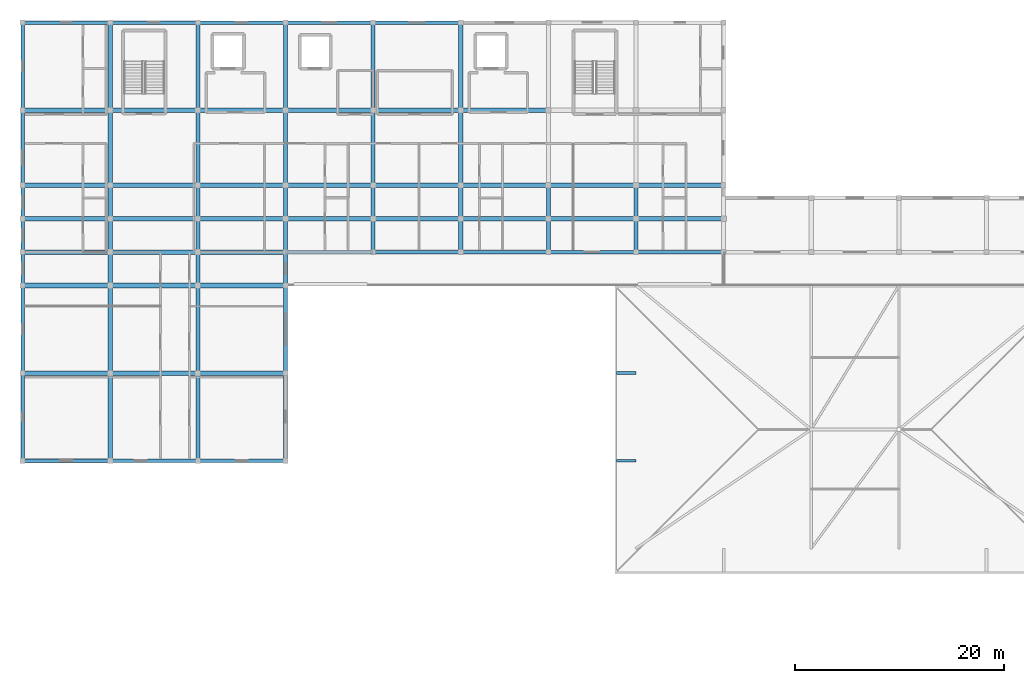
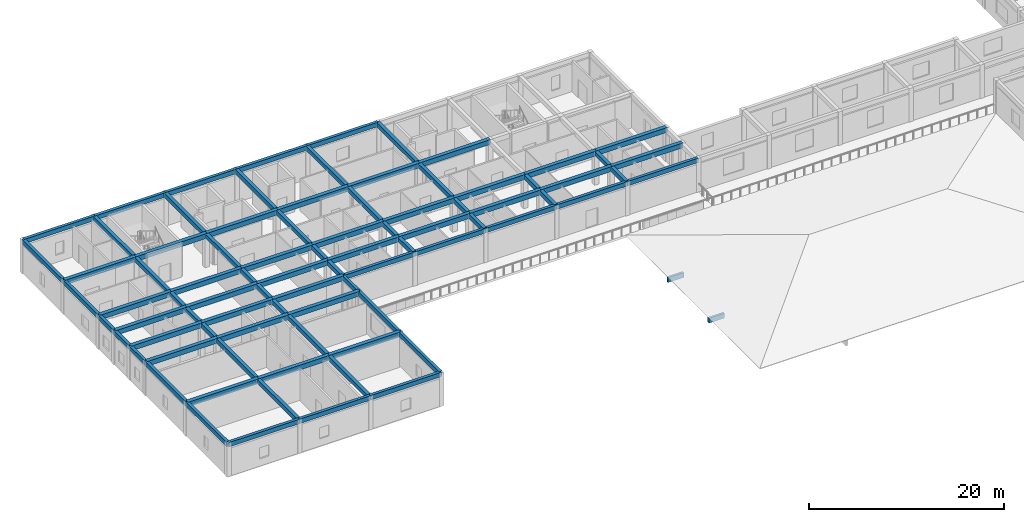
# One storey, part 3 of 28: 86 beams.
"""IFC4 building model written with IfcOpenShell, lengths in metres."""

from ifc_helpers import new_model, si_unit, direction, frame, origin, origin_2d, place, context, subcontext, project, spatial, rectangle, extrude, material, material_profile, profile_set, type_object, element, save


model = new_model("IFC4")

# Units and contexts
model_context = context("Model", 3, precision=1e-05, world=origin(), true_north=direction((0.0, 1.0)))
body_context = subcontext(model_context, "Body", "Model", "MODEL_VIEW")
ifc_project = project(units=[si_unit("LENGTHUNIT", "METRE"), si_unit("AREAUNIT", "SQUARE_METRE"), si_unit("VOLUMEUNIT", "CUBIC_METRE"), si_unit("PLANEANGLEUNIT", "RADIAN"), si_unit("MASSUNIT", "GRAM", prefix="KILO")], contexts=[model_context])

# Site, building, storey
site_placement = place(None, origin())
site = spatial("IfcSite", under=ifc_project, at=site_placement, CompositionType="ELEMENT")
building_placement = place(site_placement, origin())
building = spatial("IfcBuilding", under=site, at=building_placement, Name="Varncliffe General Hospital", CompositionType="ELEMENT")
storey_placement = place(building_placement, frame((0.0, 0.0, 24.60009765625)))
storey = spatial("IfcBuildingStorey", under=building, at=storey_placement, Name="L05", CompositionType="ELEMENT", Elevation=24.60009765625)

# Beams
ifc_material_1 = material(Name="Concrete C35/45 (CSA A23.1 35 MPa)", Category="concrete")
ifc_material_profile_1 = material_profile(ifc_material_1, rectangle(XDim=0.39990234375, YDim=0.550048828125, at=origin_2d()), Name="RC 400x550")
ifc_profile_set_1 = profile_set([ifc_material_profile_1], Name="Concrete C35/45 (CSA A23.1 35 MPa)")
beam_type_1 = type_object("IfcBeamType", Name="Beam B32 (Int RC 400x550)", PredefinedType="BEAM", material=ifc_profile_set_1)
beam_1_placement = place(storey_placement, frame((8.39990234375, 82.800048828125, 3.9248046875), z_axis=(0.0, 1.0, 0.0), x_axis=(-1.0, 0.0, 0.0)))
element("IfcBeam", 1, at=beam_1_placement, inside=storey, type_object=beam_type_1, Name="L05 Primary Beam B32-144", PredefinedType="BEAM", context=body_context, shape_type="SweptSolid", body=[
    extrude(rectangle(XDim=0.39990234375, YDim=0.550048828125, at=origin_2d()), origin(), (0.0, 0.0, 1.0), 8.39990234375),
])
beam_2_placement = place(storey_placement, frame((8.39990234375, 91.199951171875, 3.9248046875), z_axis=(0.0, 1.0, 0.0), x_axis=(-1.0, 0.0, 0.0)))
element("IfcBeam", 2, at=beam_2_placement, inside=storey, type_object=beam_type_1, Name="L05 Primary Beam B32-145", PredefinedType="BEAM", context=body_context, shape_type="SweptSolid", body=[
    extrude(rectangle(XDim=0.39990234375, YDim=0.550048828125, at=origin_2d()), origin(), (0.0, 0.0, 1.0), 8.400146484375),
])
for number, where, z_axis, x_axis, name in (
    (3, (8.39990234375, 99.60009765625, 3.9248046875), (0.0, 1.0, 0.0), (-1.0, 0.0, 0.0), "L05 Primary Beam B32-146"),
    (4, (8.39990234375, 102.800048828125, 3.9248046875), (0.0, 1.0, 0.0), (-1.0, 0.0, 0.0), "L05 Primary Beam B32-147"),
    (5, (8.39990234375, 106.0, 3.9248046875), (0.0, 1.0, 0.0), (-1.0, 0.0, 0.0), "L05 Primary Beam B32-148"),
):
    element("IfcBeam", number, at=place(storey_placement, frame(where, z_axis=z_axis, x_axis=x_axis)), inside=storey, type_object=beam_type_1, Name=name, PredefinedType="BEAM", context=body_context, shape_type="SweptSolid", body=[
        extrude(rectangle(XDim=0.39990234375, YDim=0.550048828125, at=origin_2d()), origin(), (0.0, 0.0, 1.0), 3.199951171875),
    ])
beam_3_placement = place(storey_placement, frame((8.39990234375, 109.199951171875, 3.9248046875), z_axis=(0.0, 1.0, 0.0), x_axis=(-1.0, 0.0, 0.0)))
element("IfcBeam", 6, at=beam_3_placement, inside=storey, type_object=beam_type_1, Name="L05 Primary Beam B32-149", PredefinedType="BEAM", context=body_context, shape_type="SweptSolid", body=[
    extrude(rectangle(XDim=0.39990234375, YDim=0.550048828125, at=origin_2d()), origin(), (0.0, 0.0, 1.0), 7.199951171875),
])
beam_4_placement = place(storey_placement, frame((8.39990234375, 116.39990234375, 3.9248046875), z_axis=(0.0, 1.0, 0.0), x_axis=(-1.0, 0.0, 0.0)))
element("IfcBeam", 7, at=beam_4_placement, inside=storey, type_object=beam_type_1, Name="L05 Primary Beam B32-150", PredefinedType="BEAM", context=body_context, shape_type="SweptSolid", body=[
    extrude(rectangle(XDim=0.39990234375, YDim=0.550048828125, at=origin_2d()), origin(), (0.0, 0.0, 1.0), 8.400146484375),
])
beam_5_placement = place(storey_placement, frame((16.800048828125, 82.800048828125, 3.9248046875), z_axis=(0.0, 1.0, 0.0), x_axis=(-1.0, 0.0, 0.0)))
element("IfcBeam", 8, at=beam_5_placement, inside=storey, type_object=beam_type_1, Name="L05 Primary Beam B32-151", PredefinedType="BEAM", context=body_context, shape_type="SweptSolid", body=[
    extrude(rectangle(XDim=0.39990234375, YDim=0.550048828125, at=origin_2d()), origin(), (0.0, 0.0, 1.0), 8.39990234375),
])
beam_6_placement = place(storey_placement, frame((16.800048828125, 91.199951171875, 3.9248046875), z_axis=(0.0, 1.0, 0.0), x_axis=(-1.0, 0.0, 0.0)))
element("IfcBeam", 9, at=beam_6_placement, inside=storey, type_object=beam_type_1, Name="L05 Primary Beam B32-152", PredefinedType="BEAM", context=body_context, shape_type="SweptSolid", body=[
    extrude(rectangle(XDim=0.39990234375, YDim=0.550048828125, at=origin_2d()), origin(), (0.0, 0.0, 1.0), 8.400146484375),
])
for number, where, z_axis, x_axis, name in (
    (10, (16.800048828125, 99.60009765625, 3.9248046875), (0.0, 1.0, 0.0), (-1.0, 0.0, 0.0), "L05 Primary Beam B32-153"),
    (11, (16.800048828125, 102.800048828125, 3.9248046875), (0.0, 1.0, 0.0), (-1.0, 0.0, 0.0), "L05 Primary Beam B32-154"),
    (12, (16.800048828125, 106.0, 3.9248046875), (0.0, 1.0, 0.0), (-1.0, 0.0, 0.0), "L05 Primary Beam B32-155"),
):
    element("IfcBeam", number, at=place(storey_placement, frame(where, z_axis=z_axis, x_axis=x_axis)), inside=storey, type_object=beam_type_1, Name=name, PredefinedType="BEAM", context=body_context, shape_type="SweptSolid", body=[
        extrude(rectangle(XDim=0.39990234375, YDim=0.550048828125, at=origin_2d()), origin(), (0.0, 0.0, 1.0), 3.199951171875),
    ])
beam_7_placement = place(storey_placement, frame((16.800048828125, 109.199951171875, 3.9248046875), z_axis=(0.0, 1.0, 0.0), x_axis=(-1.0, 0.0, 0.0)))
element("IfcBeam", 13, at=beam_7_placement, inside=storey, type_object=beam_type_1, Name="L05 Primary Beam B32-156", PredefinedType="BEAM", context=body_context, shape_type="SweptSolid", body=[
    extrude(rectangle(XDim=0.39990234375, YDim=0.550048828125, at=origin_2d()), origin(), (0.0, 0.0, 1.0), 7.199951171875),
])
beam_8_placement = place(storey_placement, frame((16.800048828125, 116.39990234375, 3.9248046875), z_axis=(0.0, 1.0, 0.0), x_axis=(-1.0, 0.0, 0.0)))
element("IfcBeam", 14, at=beam_8_placement, inside=storey, type_object=beam_type_1, Name="L05 Primary Beam B32-157", PredefinedType="BEAM", context=body_context, shape_type="SweptSolid", body=[
    extrude(rectangle(XDim=0.39990234375, YDim=0.550048828125, at=origin_2d()), origin(), (0.0, 0.0, 1.0), 8.400146484375),
])
for number, where, z_axis, x_axis, name in (
    (15, (25.199951171875, 102.800048828125, 3.9248046875), (0.0, 1.0, 0.0), (-1.0, 0.0, 0.0), "L05 Primary Beam B32-161"),
    (16, (25.199951171875, 106.0, 3.9248046875), (0.0, 1.0, 0.0), (-1.0, 0.0, 0.0), "L05 Primary Beam B32-162"),
):
    element("IfcBeam", number, at=place(storey_placement, frame(where, z_axis=z_axis, x_axis=x_axis)), inside=storey, type_object=beam_type_1, Name=name, PredefinedType="BEAM", context=body_context, shape_type="SweptSolid", body=[
        extrude(rectangle(XDim=0.39990234375, YDim=0.550048828125, at=origin_2d()), origin(), (0.0, 0.0, 1.0), 3.199951171875),
    ])
beam_9_placement = place(storey_placement, frame((25.199951171875, 109.199951171875, 3.9248046875), z_axis=(0.0, 1.0, 0.0), x_axis=(-1.0, 0.0, 0.0)))
element("IfcBeam", 17, at=beam_9_placement, inside=storey, type_object=beam_type_1, Name="L05 Primary Beam B32-163", PredefinedType="BEAM", context=body_context, shape_type="SweptSolid", body=[
    extrude(rectangle(XDim=0.39990234375, YDim=0.550048828125, at=origin_2d()), origin(), (0.0, 0.0, 1.0), 7.199951171875),
])
beam_10_placement = place(storey_placement, frame((25.199951171875, 116.39990234375, 3.9248046875), z_axis=(0.0, 1.0, 0.0), x_axis=(-1.0, 0.0, 0.0)))
element("IfcBeam", 18, at=beam_10_placement, inside=storey, type_object=beam_type_1, Name="L05 Primary Beam B32-164", PredefinedType="BEAM", context=body_context, shape_type="SweptSolid", body=[
    extrude(rectangle(XDim=0.39990234375, YDim=0.550048828125, at=origin_2d()), origin(), (0.0, 0.0, 1.0), 8.400146484375),
])
for number, where, z_axis, x_axis, name in (
    (19, (33.60009765625, 102.800048828125, 3.9248046875), (0.0, 1.0, 0.0), (-1.0, 0.0, 0.0), "L05 Primary Beam B32-165"),
    (20, (33.60009765625, 106.0, 3.9248046875), (0.0, 1.0, 0.0), (-1.0, 0.0, 0.0), "L05 Primary Beam B32-166"),
):
    element("IfcBeam", number, at=place(storey_placement, frame(where, z_axis=z_axis, x_axis=x_axis)), inside=storey, type_object=beam_type_1, Name=name, PredefinedType="BEAM", context=body_context, shape_type="SweptSolid", body=[
        extrude(rectangle(XDim=0.39990234375, YDim=0.550048828125, at=origin_2d()), origin(), (0.0, 0.0, 1.0), 3.199951171875),
    ])
beam_11_placement = place(storey_placement, frame((33.60009765625, 109.199951171875, 3.9248046875), z_axis=(0.0, 1.0, 0.0), x_axis=(-1.0, 0.0, 0.0)))
element("IfcBeam", 21, at=beam_11_placement, inside=storey, type_object=beam_type_1, Name="L05 Primary Beam B32-167", PredefinedType="BEAM", context=body_context, shape_type="SweptSolid", body=[
    extrude(rectangle(XDim=0.39990234375, YDim=0.550048828125, at=origin_2d()), origin(), (0.0, 0.0, 1.0), 7.199951171875),
])
beam_12_placement = place(storey_placement, frame((33.60009765625, 116.39990234375, 3.9248046875), z_axis=(0.0, 1.0, 0.0), x_axis=(-1.0, 0.0, 0.0)))
element("IfcBeam", 22, at=beam_12_placement, inside=storey, type_object=beam_type_1, Name="L05 Primary Beam B32-168", PredefinedType="BEAM", context=body_context, shape_type="SweptSolid", body=[
    extrude(rectangle(XDim=0.39990234375, YDim=0.550048828125, at=origin_2d()), origin(), (0.0, 0.0, 1.0), 8.400146484375),
])
for number, where, z_axis, x_axis, name in (
    (23, (42.0, 102.800048828125, 3.9248046875), (0.0, 1.0, 0.0), (-1.0, 0.0, 0.0), "L05 Primary Beam B32-169"),
    (24, (42.0, 106.0, 3.9248046875), (0.0, 1.0, 0.0), (-1.0, 0.0, 0.0), "L05 Primary Beam B32-170"),
):
    element("IfcBeam", number, at=place(storey_placement, frame(where, z_axis=z_axis, x_axis=x_axis)), inside=storey, type_object=beam_type_1, Name=name, PredefinedType="BEAM", context=body_context, shape_type="SweptSolid", body=[
        extrude(rectangle(XDim=0.39990234375, YDim=0.550048828125, at=origin_2d()), origin(), (0.0, 0.0, 1.0), 3.199951171875),
    ])
beam_13_placement = place(storey_placement, frame((42.0, 109.199951171875, 3.9248046875), z_axis=(0.0, 1.0, 0.0), x_axis=(-1.0, 0.0, 0.0)))
element("IfcBeam", 25, at=beam_13_placement, inside=storey, type_object=beam_type_1, Name="L05 Primary Beam B32-171", PredefinedType="BEAM", context=body_context, shape_type="SweptSolid", body=[
    extrude(rectangle(XDim=0.39990234375, YDim=0.550048828125, at=origin_2d()), origin(), (0.0, 0.0, 1.0), 7.199951171875),
])
beam_14_placement = place(storey_placement, frame((42.0, 116.39990234375, 3.9248046875), z_axis=(0.0, 1.0, 0.0), x_axis=(-1.0, 0.0, 0.0)))
element("IfcBeam", 26, at=beam_14_placement, inside=storey, type_object=beam_type_1, Name="L05 Primary Beam B32-172", PredefinedType="BEAM", context=body_context, shape_type="SweptSolid", body=[
    extrude(rectangle(XDim=0.39990234375, YDim=0.550048828125, at=origin_2d()), origin(), (0.0, 0.0, 1.0), 8.400146484375),
])
for number, where, z_axis, x_axis, name in (
    (27, (50.39990234375, 102.800048828125, 3.9248046875), (0.0, 1.0, 0.0), (-1.0, 0.0, 0.0), "L05 Primary Beam B32-173"),
    (28, (50.39990234375, 106.0, 3.9248046875), (0.0, 1.0, 0.0), (-1.0, 0.0, 0.0), "L05 Primary Beam B32-174"),
    (29, (58.800048828125, 102.800048828125, 3.9248046875), (0.0, 1.0, 0.0), (-1.0, 0.0, 0.0), "L05 Primary Beam B32-177"),
    (30, (58.800048828125, 106.0, 3.9248046875), (0.0, 1.0, 0.0), (-1.0, 0.0, 0.0), "L05 Primary Beam B32-178"),
):
    element("IfcBeam", number, at=place(storey_placement, frame(where, z_axis=z_axis, x_axis=x_axis)), inside=storey, type_object=beam_type_1, Name=name, PredefinedType="BEAM", context=body_context, shape_type="SweptSolid", body=[
        extrude(rectangle(XDim=0.39990234375, YDim=0.550048828125, at=origin_2d()), origin(), (0.0, 0.0, 1.0), 3.199951171875),
    ])
ifc_material_profile_2 = material_profile(ifc_material_1, rectangle(XDim=0.449951171875, YDim=0.60009765625, at=origin_2d()), Name="RC 450x600")
ifc_profile_set_2 = profile_set([ifc_material_profile_2], Name="Concrete C35/45 (CSA A23.1 35 MPa)")
beam_type_2 = type_object("IfcBeamType", Name="Beam B47 (Int RC 450x600)", PredefinedType="BEAM", material=ifc_profile_set_2)
beam_15_placement = place(storey_placement, frame((0.0, 91.199951171875, 3.89990234375), z_axis=(1.0, 0.0, 0.0), x_axis=(0.0, 1.0, 0.0)))
element("IfcBeam", 31, at=beam_15_placement, inside=storey, type_object=beam_type_2, Name="L05 Primary Beam B47-33", PredefinedType="BEAM", context=body_context, shape_type="SweptSolid", body=[
    extrude(rectangle(XDim=0.449951171875, YDim=0.60009765625, at=origin_2d()), origin(), (0.0, 0.0, 1.0), 8.39990234375),
])
beam_16_placement = place(storey_placement, frame((8.39990234375, 91.199951171875, 3.89990234375), z_axis=(1.0, 0.0, 0.0), x_axis=(0.0, 1.0, 0.0)))
element("IfcBeam", 32, at=beam_16_placement, inside=storey, type_object=beam_type_2, Name="L05 Primary Beam B47-34", PredefinedType="BEAM", context=body_context, shape_type="SweptSolid", body=[
    extrude(rectangle(XDim=0.449951171875, YDim=0.60009765625, at=origin_2d()), origin(), (0.0, 0.0, 1.0), 8.400146484375),
])
for number, where, z_axis, x_axis, name in (
    (33, (16.800048828125, 91.199951171875, 3.89990234375), (1.0, 0.0, 0.0), (0.0, 1.0, 0.0), "L05 Primary Beam B47-35"),
    (34, (0.0, 99.60009765625, 3.89990234375), (1.0, 0.0, 0.0), (0.0, 1.0, 0.0), "L05 Primary Beam B47-41"),
):
    element("IfcBeam", number, at=place(storey_placement, frame(where, z_axis=z_axis, x_axis=x_axis)), inside=storey, type_object=beam_type_2, Name=name, PredefinedType="BEAM", context=body_context, shape_type="SweptSolid", body=[
        extrude(rectangle(XDim=0.449951171875, YDim=0.60009765625, at=origin_2d()), origin(), (0.0, 0.0, 1.0), 8.39990234375),
    ])
beam_17_placement = place(storey_placement, frame((8.39990234375, 99.60009765625, 3.89990234375), z_axis=(1.0, 0.0, 0.0), x_axis=(0.0, 1.0, 0.0)))
element("IfcBeam", 35, at=beam_17_placement, inside=storey, type_object=beam_type_2, Name="L05 Primary Beam B47-42", PredefinedType="BEAM", context=body_context, shape_type="SweptSolid", body=[
    extrude(rectangle(XDim=0.449951171875, YDim=0.60009765625, at=origin_2d()), origin(), (0.0, 0.0, 1.0), 8.400146484375),
])
for number, where, z_axis, x_axis, name in (
    (36, (16.800048828125, 99.60009765625, 3.89990234375), (1.0, 0.0, 0.0), (0.0, 1.0, 0.0), "L05 Primary Beam B47-43"),
    (37, (0.0, 102.800048828125, 3.89990234375), (1.0, 0.0, 0.0), (0.0, 1.0, 0.0), "L05 Primary Beam B47-49"),
):
    element("IfcBeam", number, at=place(storey_placement, frame(where, z_axis=z_axis, x_axis=x_axis)), inside=storey, type_object=beam_type_2, Name=name, PredefinedType="BEAM", context=body_context, shape_type="SweptSolid", body=[
        extrude(rectangle(XDim=0.449951171875, YDim=0.60009765625, at=origin_2d()), origin(), (0.0, 0.0, 1.0), 8.39990234375),
    ])
beam_18_placement = place(storey_placement, frame((8.39990234375, 102.800048828125, 3.89990234375), z_axis=(1.0, 0.0, 0.0), x_axis=(0.0, 1.0, 0.0)))
element("IfcBeam", 38, at=beam_18_placement, inside=storey, type_object=beam_type_2, Name="L05 Primary Beam B47-50", PredefinedType="BEAM", context=body_context, shape_type="SweptSolid", body=[
    extrude(rectangle(XDim=0.449951171875, YDim=0.60009765625, at=origin_2d()), origin(), (0.0, 0.0, 1.0), 8.400146484375),
])
for number, where, z_axis, x_axis, name in (
    (39, (16.800048828125, 102.800048828125, 3.89990234375), (1.0, 0.0, 0.0), (0.0, 1.0, 0.0), "L05 Primary Beam B47-51"),
    (40, (0.0, 106.0, 3.89990234375), (1.0, 0.0, 0.0), (0.0, 1.0, 0.0), "L05 Primary Beam B47-70"),
):
    element("IfcBeam", number, at=place(storey_placement, frame(where, z_axis=z_axis, x_axis=x_axis)), inside=storey, type_object=beam_type_2, Name=name, PredefinedType="BEAM", context=body_context, shape_type="SweptSolid", body=[
        extrude(rectangle(XDim=0.449951171875, YDim=0.60009765625, at=origin_2d()), origin(), (0.0, 0.0, 1.0), 8.39990234375),
    ])
beam_19_placement = place(storey_placement, frame((8.39990234375, 106.0, 3.89990234375), z_axis=(1.0, 0.0, 0.0), x_axis=(0.0, 1.0, 0.0)))
element("IfcBeam", 41, at=beam_19_placement, inside=storey, type_object=beam_type_2, Name="L05 Primary Beam B47-71", PredefinedType="BEAM", context=body_context, shape_type="SweptSolid", body=[
    extrude(rectangle(XDim=0.449951171875, YDim=0.60009765625, at=origin_2d()), origin(), (0.0, 0.0, 1.0), 8.400146484375),
])
beam_20_placement = place(storey_placement, frame((16.800048828125, 106.0, 3.89990234375), z_axis=(1.0, 0.0, 0.0), x_axis=(0.0, 1.0, 0.0)))
element("IfcBeam", 42, at=beam_20_placement, inside=storey, type_object=beam_type_2, Name="L05 Primary Beam B47-72", PredefinedType="BEAM", context=body_context, shape_type="SweptSolid", body=[
    extrude(rectangle(XDim=0.449951171875, YDim=0.60009765625, at=origin_2d()), origin(), (0.0, 0.0, 1.0), 8.39990234375),
])
beam_21_placement = place(storey_placement, frame((25.199951171875, 106.0, 3.89990234375), z_axis=(1.0, 0.0, 0.0), x_axis=(0.0, 1.0, 0.0)))
element("IfcBeam", 43, at=beam_21_placement, inside=storey, type_object=beam_type_2, Name="L05 Primary Beam B47-73", PredefinedType="BEAM", context=body_context, shape_type="SweptSolid", body=[
    extrude(rectangle(XDim=0.449951171875, YDim=0.60009765625, at=origin_2d()), origin(), (0.0, 0.0, 1.0), 8.400146484375),
])
for number, where, z_axis, x_axis, name in (
    (44, (33.60009765625, 106.0, 3.89990234375), (1.0, 0.0, 0.0), (0.0, 1.0, 0.0), "L05 Primary Beam B47-74"),
    (45, (42.0, 106.0, 3.89990234375), (1.0, 0.0, 0.0), (0.0, 1.0, 0.0), "L05 Primary Beam B47-75"),
):
    element("IfcBeam", number, at=place(storey_placement, frame(where, z_axis=z_axis, x_axis=x_axis)), inside=storey, type_object=beam_type_2, Name=name, PredefinedType="BEAM", context=body_context, shape_type="SweptSolid", body=[
        extrude(rectangle(XDim=0.449951171875, YDim=0.60009765625, at=origin_2d()), origin(), (0.0, 0.0, 1.0), 8.39990234375),
    ])
beam_22_placement = place(storey_placement, frame((50.39990234375, 106.0, 3.89990234375), z_axis=(1.0, 0.0, 0.0), x_axis=(0.0, 1.0, 0.0)))
element("IfcBeam", 46, at=beam_22_placement, inside=storey, type_object=beam_type_2, Name="L05 Primary Beam B47-76", PredefinedType="BEAM", context=body_context, shape_type="SweptSolid", body=[
    extrude(rectangle(XDim=0.449951171875, YDim=0.60009765625, at=origin_2d()), origin(), (0.0, 0.0, 1.0), 8.400146484375),
])
for number, where, z_axis, x_axis, name in (
    (47, (58.800048828125, 106.0, 3.89990234375), (1.0, 0.0, 0.0), (0.0, 1.0, 0.0), "L05 Primary Beam B47-77"),
    (48, (0.0, 109.199951171875, 3.89990234375), (1.0, 0.0, 0.0), (0.0, 1.0, 0.0), "L05 Primary Beam B47-89"),
):
    element("IfcBeam", number, at=place(storey_placement, frame(where, z_axis=z_axis, x_axis=x_axis)), inside=storey, type_object=beam_type_2, Name=name, PredefinedType="BEAM", context=body_context, shape_type="SweptSolid", body=[
        extrude(rectangle(XDim=0.449951171875, YDim=0.60009765625, at=origin_2d()), origin(), (0.0, 0.0, 1.0), 8.39990234375),
    ])
beam_23_placement = place(storey_placement, frame((8.39990234375, 109.199951171875, 3.89990234375), z_axis=(1.0, 0.0, 0.0), x_axis=(0.0, 1.0, 0.0)))
element("IfcBeam", 49, at=beam_23_placement, inside=storey, type_object=beam_type_2, Name="L05 Primary Beam B47-90", PredefinedType="BEAM", context=body_context, shape_type="SweptSolid", body=[
    extrude(rectangle(XDim=0.449951171875, YDim=0.60009765625, at=origin_2d()), origin(), (0.0, 0.0, 1.0), 8.400146484375),
])
beam_24_placement = place(storey_placement, frame((16.800048828125, 109.199951171875, 3.89990234375), z_axis=(1.0, 0.0, 0.0), x_axis=(0.0, 1.0, 0.0)))
element("IfcBeam", 50, at=beam_24_placement, inside=storey, type_object=beam_type_2, Name="L05 Primary Beam B47-91", PredefinedType="BEAM", context=body_context, shape_type="SweptSolid", body=[
    extrude(rectangle(XDim=0.449951171875, YDim=0.60009765625, at=origin_2d()), origin(), (0.0, 0.0, 1.0), 8.39990234375),
])
beam_25_placement = place(storey_placement, frame((25.199951171875, 109.199951171875, 3.89990234375), z_axis=(1.0, 0.0, 0.0), x_axis=(0.0, 1.0, 0.0)))
element("IfcBeam", 51, at=beam_25_placement, inside=storey, type_object=beam_type_2, Name="L05 Primary Beam B47-92", PredefinedType="BEAM", context=body_context, shape_type="SweptSolid", body=[
    extrude(rectangle(XDim=0.449951171875, YDim=0.60009765625, at=origin_2d()), origin(), (0.0, 0.0, 1.0), 8.400146484375),
])
for number, where, z_axis, x_axis, name in (
    (52, (33.60009765625, 109.199951171875, 3.89990234375), (1.0, 0.0, 0.0), (0.0, 1.0, 0.0), "L05 Primary Beam B47-93"),
    (53, (42.0, 109.199951171875, 3.89990234375), (1.0, 0.0, 0.0), (0.0, 1.0, 0.0), "L05 Primary Beam B47-94"),
):
    element("IfcBeam", number, at=place(storey_placement, frame(where, z_axis=z_axis, x_axis=x_axis)), inside=storey, type_object=beam_type_2, Name=name, PredefinedType="BEAM", context=body_context, shape_type="SweptSolid", body=[
        extrude(rectangle(XDim=0.449951171875, YDim=0.60009765625, at=origin_2d()), origin(), (0.0, 0.0, 1.0), 8.39990234375),
    ])
beam_26_placement = place(storey_placement, frame((50.39990234375, 109.199951171875, 3.89990234375), z_axis=(1.0, 0.0, 0.0), x_axis=(0.0, 1.0, 0.0)))
element("IfcBeam", 54, at=beam_26_placement, inside=storey, type_object=beam_type_2, Name="L05 Primary Beam B47-95", PredefinedType="BEAM", context=body_context, shape_type="SweptSolid", body=[
    extrude(rectangle(XDim=0.449951171875, YDim=0.60009765625, at=origin_2d()), origin(), (0.0, 0.0, 1.0), 8.400146484375),
])
for number, where, z_axis, x_axis, name in (
    (55, (58.800048828125, 109.199951171875, 3.89990234375), (1.0, 0.0, 0.0), (0.0, 1.0, 0.0), "L05 Primary Beam B47-96"),
    (56, (0.0, 116.39990234375, 3.89990234375), (1.0, 0.0, 0.0), (0.0, 1.0, 0.0), "L05 Primary Beam B47-105"),
):
    element("IfcBeam", number, at=place(storey_placement, frame(where, z_axis=z_axis, x_axis=x_axis)), inside=storey, type_object=beam_type_2, Name=name, PredefinedType="BEAM", context=body_context, shape_type="SweptSolid", body=[
        extrude(rectangle(XDim=0.449951171875, YDim=0.60009765625, at=origin_2d()), origin(), (0.0, 0.0, 1.0), 8.39990234375),
    ])
beam_27_placement = place(storey_placement, frame((8.39990234375, 116.39990234375, 3.89990234375), z_axis=(1.0, 0.0, 0.0), x_axis=(0.0, 1.0, 0.0)))
element("IfcBeam", 57, at=beam_27_placement, inside=storey, type_object=beam_type_2, Name="L05 Primary Beam B47-106", PredefinedType="BEAM", context=body_context, shape_type="SweptSolid", body=[
    extrude(rectangle(XDim=0.449951171875, YDim=0.60009765625, at=origin_2d()), origin(), (0.0, 0.0, 1.0), 8.400146484375),
])
beam_28_placement = place(storey_placement, frame((16.800048828125, 116.39990234375, 3.89990234375), z_axis=(1.0, 0.0, 0.0), x_axis=(0.0, 1.0, 0.0)))
element("IfcBeam", 58, at=beam_28_placement, inside=storey, type_object=beam_type_2, Name="L05 Primary Beam B47-107", PredefinedType="BEAM", context=body_context, shape_type="SweptSolid", body=[
    extrude(rectangle(XDim=0.449951171875, YDim=0.60009765625, at=origin_2d()), origin(), (0.0, 0.0, 1.0), 8.39990234375),
])
beam_29_placement = place(storey_placement, frame((25.199951171875, 116.39990234375, 3.89990234375), z_axis=(1.0, 0.0, 0.0), x_axis=(0.0, 1.0, 0.0)))
element("IfcBeam", 59, at=beam_29_placement, inside=storey, type_object=beam_type_2, Name="L05 Primary Beam B47-108", PredefinedType="BEAM", context=body_context, shape_type="SweptSolid", body=[
    extrude(rectangle(XDim=0.449951171875, YDim=0.60009765625, at=origin_2d()), origin(), (0.0, 0.0, 1.0), 8.400146484375),
])
for number, where, z_axis, x_axis, name in (
    (60, (33.60009765625, 116.39990234375, 3.89990234375), (1.0, 0.0, 0.0), (0.0, 1.0, 0.0), "L05 Primary Beam B47-109"),
    (61, (42.0, 116.39990234375, 3.89990234375), (1.0, 0.0, 0.0), (0.0, 1.0, 0.0), "L05 Primary Beam B47-110"),
):
    element("IfcBeam", number, at=place(storey_placement, frame(where, z_axis=z_axis, x_axis=x_axis)), inside=storey, type_object=beam_type_2, Name=name, PredefinedType="BEAM", context=body_context, shape_type="SweptSolid", body=[
        extrude(rectangle(XDim=0.449951171875, YDim=0.60009765625, at=origin_2d()), origin(), (0.0, 0.0, 1.0), 8.39990234375),
    ])
ifc_material_2 = material(Name="Glulam GL28h (CSA O86 24f-EX, 30 MPa)", Category="wood")
ifc_material_profile_3 = material_profile(ifc_material_2, rectangle(XDim=0.264892578125, YDim=0.60791015625, at=origin_2d()), Name="GL 265x608")
ifc_profile_set_3 = profile_set([ifc_material_profile_3], Name="Glulam GL28h (CSA O86 24f-EX, 30 MPa)")
beam_type_3 = type_object("IfcBeamType", Name="Beam B82 (Ext GL 265x608)", PredefinedType="BEAM", material=ifc_profile_set_3)
for number, where, z_axis, x_axis, name in (
    (62, (56.93994140625, 82.800048828125, -0.49072265625), (1.0, 0.0, 0.0), (0.0, 1.0, 0.0), "L05 RF-V4-OR West Eave Lookout Bracket 1"),
    (63, (56.93994140625, 91.199951171875, -0.49072265625), (1.0, 0.0, 0.0), (0.0, 1.0, 0.0), "L05 RF-V4-OR West Eave Lookout Bracket 2"),
):
    element("IfcBeam", number, at=place(storey_placement, frame(where, z_axis=z_axis, x_axis=x_axis)), inside=storey, type_object=beam_type_3, Name=name, PredefinedType="BEAM", context=body_context, shape_type="SweptSolid", body=[
        extrude(rectangle(XDim=0.264892578125, YDim=0.60791015625, at=origin_2d()), origin(), (0.0, 0.0, 1.0), 1.860107421875),
    ])
ifc_material_profile_4 = material_profile(ifc_material_1, rectangle(XDim=0.35009765625, YDim=0.550048828125, at=origin_2d()), Name="RC 350x550")
ifc_profile_set_4 = profile_set([ifc_material_profile_4], Name="Concrete C35/45 (CSA A23.1 35 MPa)")
beam_type_4 = type_object("IfcBeamType", Name="Spandrel SP20 (Ext RC 350x550)", PredefinedType="SPANDREL", material=ifc_profile_set_4)
beam_30_placement = place(storey_placement, frame((0.0, 82.800048828125, 3.9248046875), z_axis=(1.0, 0.0, 0.0), x_axis=(0.0, 1.0, 0.0)))
element("IfcBeam", 64, at=beam_30_placement, inside=storey, type_object=beam_type_4, Name="L05 Spandrel Beam SP20-25", PredefinedType="SPANDREL", context=body_context, shape_type="SweptSolid", body=[
    extrude(rectangle(XDim=0.35009765625, YDim=0.550048828125, at=origin_2d()), origin(), (0.0, 0.0, 1.0), 8.39990234375),
])
beam_31_placement = place(storey_placement, frame((8.39990234375, 82.800048828125, 3.9248046875), z_axis=(1.0, 0.0, 0.0), x_axis=(0.0, 1.0, 0.0)))
element("IfcBeam", 65, at=beam_31_placement, inside=storey, type_object=beam_type_4, Name="L05 Spandrel Beam SP20-26", PredefinedType="SPANDREL", context=body_context, shape_type="SweptSolid", body=[
    extrude(rectangle(XDim=0.35009765625, YDim=0.550048828125, at=origin_2d()), origin(), (0.0, 0.0, 1.0), 8.400146484375),
])
beam_32_placement = place(storey_placement, frame((16.800048828125, 82.800048828125, 3.9248046875), z_axis=(1.0, 0.0, 0.0), x_axis=(0.0, 1.0, 0.0)))
element("IfcBeam", 66, at=beam_32_placement, inside=storey, type_object=beam_type_4, Name="L05 Spandrel Beam SP20-27", PredefinedType="SPANDREL", context=body_context, shape_type="SweptSolid", body=[
    extrude(rectangle(XDim=0.35009765625, YDim=0.550048828125, at=origin_2d()), origin(), (0.0, 0.0, 1.0), 8.39990234375),
])
beam_33_placement = place(storey_placement, frame((25.199951171875, 102.800048828125, 3.9248046875), z_axis=(1.0, 0.0, 0.0), x_axis=(0.0, 1.0, 0.0)))
element("IfcBeam", 67, at=beam_33_placement, inside=storey, type_object=beam_type_4, Name="L05 Spandrel Beam SP20-52", PredefinedType="SPANDREL", context=body_context, shape_type="SweptSolid", body=[
    extrude(rectangle(XDim=0.35009765625, YDim=0.550048828125, at=origin_2d()), origin(), (0.0, 0.0, 1.0), 8.400146484375),
])
for number, where, z_axis, x_axis, name in (
    (68, (33.60009765625, 102.800048828125, 3.9248046875), (1.0, 0.0, 0.0), (0.0, 1.0, 0.0), "L05 Spandrel Beam SP20-53"),
    (69, (42.0, 102.800048828125, 3.9248046875), (1.0, 0.0, 0.0), (0.0, 1.0, 0.0), "L05 Spandrel Beam SP20-54"),
):
    element("IfcBeam", number, at=place(storey_placement, frame(where, z_axis=z_axis, x_axis=x_axis)), inside=storey, type_object=beam_type_4, Name=name, PredefinedType="SPANDREL", context=body_context, shape_type="SweptSolid", body=[
        extrude(rectangle(XDim=0.35009765625, YDim=0.550048828125, at=origin_2d()), origin(), (0.0, 0.0, 1.0), 8.39990234375),
    ])
beam_34_placement = place(storey_placement, frame((50.39990234375, 102.800048828125, 3.9248046875), z_axis=(1.0, 0.0, 0.0), x_axis=(0.0, 1.0, 0.0)))
element("IfcBeam", 70, at=beam_34_placement, inside=storey, type_object=beam_type_4, Name="L05 Spandrel Beam SP20-55", PredefinedType="SPANDREL", context=body_context, shape_type="SweptSolid", body=[
    extrude(rectangle(XDim=0.35009765625, YDim=0.550048828125, at=origin_2d()), origin(), (0.0, 0.0, 1.0), 8.400146484375),
])
for number, where, z_axis, x_axis, name in (
    (71, (58.800048828125, 102.800048828125, 3.9248046875), (1.0, 0.0, 0.0), (0.0, 1.0, 0.0), "L05 Spandrel Beam SP20-56"),
    (72, (0.0, 124.800048828125, 3.9248046875), (1.0, 0.0, 0.0), (0.0, 1.0, 0.0), "L05 Spandrel Beam SP20-121"),
):
    element("IfcBeam", number, at=place(storey_placement, frame(where, z_axis=z_axis, x_axis=x_axis)), inside=storey, type_object=beam_type_4, Name=name, PredefinedType="SPANDREL", context=body_context, shape_type="SweptSolid", body=[
        extrude(rectangle(XDim=0.35009765625, YDim=0.550048828125, at=origin_2d()), origin(), (0.0, 0.0, 1.0), 8.39990234375),
    ])
beam_35_placement = place(storey_placement, frame((8.39990234375, 124.800048828125, 3.9248046875), z_axis=(1.0, 0.0, 0.0), x_axis=(0.0, 1.0, 0.0)))
element("IfcBeam", 73, at=beam_35_placement, inside=storey, type_object=beam_type_4, Name="L05 Spandrel Beam SP20-122", PredefinedType="SPANDREL", context=body_context, shape_type="SweptSolid", body=[
    extrude(rectangle(XDim=0.35009765625, YDim=0.550048828125, at=origin_2d()), origin(), (0.0, 0.0, 1.0), 8.400146484375),
])
beam_36_placement = place(storey_placement, frame((16.800048828125, 124.800048828125, 3.9248046875), z_axis=(1.0, 0.0, 0.0), x_axis=(0.0, 1.0, 0.0)))
element("IfcBeam", 74, at=beam_36_placement, inside=storey, type_object=beam_type_4, Name="L05 Spandrel Beam SP20-123", PredefinedType="SPANDREL", context=body_context, shape_type="SweptSolid", body=[
    extrude(rectangle(XDim=0.35009765625, YDim=0.550048828125, at=origin_2d()), origin(), (0.0, 0.0, 1.0), 8.39990234375),
])
beam_37_placement = place(storey_placement, frame((25.199951171875, 124.800048828125, 3.9248046875), z_axis=(1.0, 0.0, 0.0), x_axis=(0.0, 1.0, 0.0)))
element("IfcBeam", 75, at=beam_37_placement, inside=storey, type_object=beam_type_4, Name="L05 Spandrel Beam SP20-124", PredefinedType="SPANDREL", context=body_context, shape_type="SweptSolid", body=[
    extrude(rectangle(XDim=0.35009765625, YDim=0.550048828125, at=origin_2d()), origin(), (0.0, 0.0, 1.0), 8.400146484375),
])
for number, where, z_axis, x_axis, name in (
    (76, (33.60009765625, 124.800048828125, 3.9248046875), (1.0, 0.0, 0.0), (0.0, 1.0, 0.0), "L05 Spandrel Beam SP20-125"),
    (77, (0.0, 82.800048828125, 3.9248046875), (0.0, 1.0, 0.0), (-1.0, 0.0, 0.0), "L05 Spandrel Beam SP20-137"),
):
    element("IfcBeam", number, at=place(storey_placement, frame(where, z_axis=z_axis, x_axis=x_axis)), inside=storey, type_object=beam_type_4, Name=name, PredefinedType="SPANDREL", context=body_context, shape_type="SweptSolid", body=[
        extrude(rectangle(XDim=0.35009765625, YDim=0.550048828125, at=origin_2d()), origin(), (0.0, 0.0, 1.0), 8.39990234375),
    ])
beam_38_placement = place(storey_placement, frame((0.0, 91.199951171875, 3.9248046875), z_axis=(0.0, 1.0, 0.0), x_axis=(-1.0, 0.0, 0.0)))
element("IfcBeam", 78, at=beam_38_placement, inside=storey, type_object=beam_type_4, Name="L05 Spandrel Beam SP20-138", PredefinedType="SPANDREL", context=body_context, shape_type="SweptSolid", body=[
    extrude(rectangle(XDim=0.35009765625, YDim=0.550048828125, at=origin_2d()), origin(), (0.0, 0.0, 1.0), 8.400146484375),
])
for number, where, z_axis, x_axis, name in (
    (79, (0.0, 99.60009765625, 3.9248046875), (0.0, 1.0, 0.0), (-1.0, 0.0, 0.0), "L05 Spandrel Beam SP20-139"),
    (80, (0.0, 102.800048828125, 3.9248046875), (0.0, 1.0, 0.0), (-1.0, 0.0, 0.0), "L05 Spandrel Beam SP20-140"),
    (81, (0.0, 106.0, 3.9248046875), (0.0, 1.0, 0.0), (-1.0, 0.0, 0.0), "L05 Spandrel Beam SP20-141"),
):
    element("IfcBeam", number, at=place(storey_placement, frame(where, z_axis=z_axis, x_axis=x_axis)), inside=storey, type_object=beam_type_4, Name=name, PredefinedType="SPANDREL", context=body_context, shape_type="SweptSolid", body=[
        extrude(rectangle(XDim=0.35009765625, YDim=0.550048828125, at=origin_2d()), origin(), (0.0, 0.0, 1.0), 3.199951171875),
    ])
beam_39_placement = place(storey_placement, frame((0.0, 109.199951171875, 3.9248046875), z_axis=(0.0, 1.0, 0.0), x_axis=(-1.0, 0.0, 0.0)))
element("IfcBeam", 82, at=beam_39_placement, inside=storey, type_object=beam_type_4, Name="L05 Spandrel Beam SP20-142", PredefinedType="SPANDREL", context=body_context, shape_type="SweptSolid", body=[
    extrude(rectangle(XDim=0.35009765625, YDim=0.550048828125, at=origin_2d()), origin(), (0.0, 0.0, 1.0), 7.199951171875),
])
beam_40_placement = place(storey_placement, frame((0.0, 116.39990234375, 3.9248046875), z_axis=(0.0, 1.0, 0.0), x_axis=(-1.0, 0.0, 0.0)))
element("IfcBeam", 83, at=beam_40_placement, inside=storey, type_object=beam_type_4, Name="L05 Spandrel Beam SP20-143", PredefinedType="SPANDREL", context=body_context, shape_type="SweptSolid", body=[
    extrude(rectangle(XDim=0.35009765625, YDim=0.550048828125, at=origin_2d()), origin(), (0.0, 0.0, 1.0), 8.400146484375),
])
beam_41_placement = place(storey_placement, frame((25.199951171875, 82.800048828125, 3.9248046875), z_axis=(0.0, 1.0, 0.0), x_axis=(-1.0, 0.0, 0.0)))
element("IfcBeam", 84, at=beam_41_placement, inside=storey, type_object=beam_type_4, Name="L05 Spandrel Beam SP20-158", PredefinedType="SPANDREL", context=body_context, shape_type="SweptSolid", body=[
    extrude(rectangle(XDim=0.35009765625, YDim=0.550048828125, at=origin_2d()), origin(), (0.0, 0.0, 1.0), 8.39990234375),
])
beam_42_placement = place(storey_placement, frame((25.199951171875, 91.199951171875, 3.9248046875), z_axis=(0.0, 1.0, 0.0), x_axis=(-1.0, 0.0, 0.0)))
element("IfcBeam", 85, at=beam_42_placement, inside=storey, type_object=beam_type_4, Name="L05 Spandrel Beam SP20-159", PredefinedType="SPANDREL", context=body_context, shape_type="SweptSolid", body=[
    extrude(rectangle(XDim=0.35009765625, YDim=0.550048828125, at=origin_2d()), origin(), (0.0, 0.0, 1.0), 8.400146484375),
])
beam_43_placement = place(storey_placement, frame((25.199951171875, 99.60009765625, 3.9248046875), z_axis=(0.0, 1.0, 0.0), x_axis=(-1.0, 0.0, 0.0)))
element("IfcBeam", 86, at=beam_43_placement, inside=storey, type_object=beam_type_4, Name="L05 Spandrel Beam SP20-160", PredefinedType="SPANDREL", context=body_context, shape_type="SweptSolid", body=[
    extrude(rectangle(XDim=0.35009765625, YDim=0.550048828125, at=origin_2d()), origin(), (0.0, 0.0, 1.0), 3.199951171875),
])

save(model, "model.ifc")
